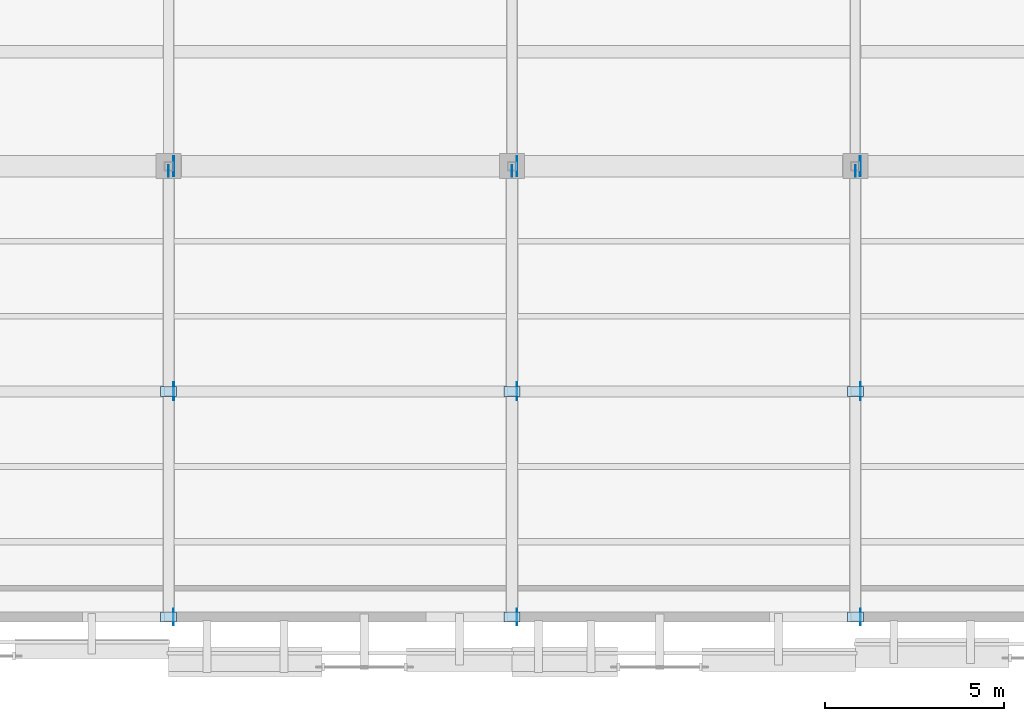
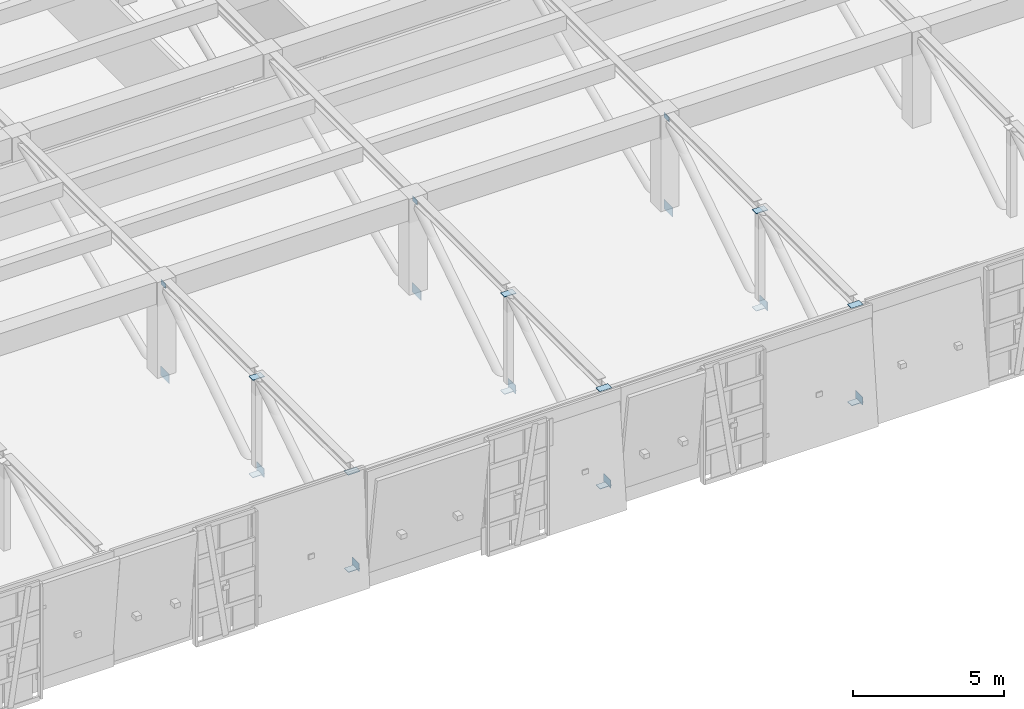
# One storey, part 37 of 62: 24 plates.
"""IFC4 building model written with IfcOpenShell, lengths in metres."""

from ifc_helpers import new_model, si_unit, direction, frame, origin, origin_2d, place, context, subcontext, project, spatial, rectangle, extrude, material, layer, layer_set, type_object, element, save


model = new_model("IFC4")

# Units and contexts
model_context = context("Model", 3, precision=1e-05, world=origin(), true_north=direction((0.0, 1.0)))
body_context = subcontext(model_context, "Body", "Model", "MODEL_VIEW")
ifc_project = project(units=[si_unit("LENGTHUNIT", "METRE"), si_unit("AREAUNIT", "SQUARE_METRE"), si_unit("VOLUMEUNIT", "CUBIC_METRE"), si_unit("PLANEANGLEUNIT", "RADIAN"), si_unit("MASSUNIT", "GRAM", prefix="KILO")], contexts=[model_context])

# Site, building, storey
site_placement = place(None, origin())
site = spatial("IfcSite", under=ifc_project, at=site_placement, CompositionType="ELEMENT")
building_placement = place(site_placement, origin())
building = spatial("IfcBuilding", under=site, at=building_placement, Name="Bempovik Park Faculty of Sciences", CompositionType="ELEMENT")
storey_placement = place(building_placement, frame((0.0, 0.0, 9.89990234375)))
storey = spatial("IfcBuildingStorey", under=building, at=storey_placement, Name="L02", CompositionType="ELEMENT", Elevation=9.89990234375)

# Plates
ifc_material = material(Name="Steel S355", Category="steel")
ifc_layer_1 = layer(ifc_material, 0.02392578125)
ifc_layer_set_1 = layer_set([ifc_layer_1], Name="Steel S355")
plate_type_1 = type_object("IfcPlateType", Name="PL-25 Steel Plate 560x380x24", PredefinedType="SHEET", material=ifc_layer_set_1)
for number, where, z_axis, x_axis, name in (
    (1, (79.340087890625, 19.800048828125, -0.389892578125), (0.0, 0.0, 1.0), (1.0, 0.0, 0.0), "Cantilever Gusset Plate CT3-3-B"),
    (2, (88.93994140625, 19.800048828125, -0.389892578125), (0.0, 0.0, 1.0), (1.0, 0.0, 0.0), "Cantilever Gusset Plate CT4-3-B"),
    (3, (98.5400390625, 19.800048828125, -0.389892578125), (0.0, 0.0, 1.0), (1.0, 0.0, 0.0), "Cantilever Gusset Plate CT5-3-B"),
):
    element("IfcPlate", number, at=place(storey_placement, frame(where, z_axis=z_axis, x_axis=x_axis)), inside=storey, type_object=plate_type_1, Name=name, PredefinedType="SHEET", context=body_context, shape_type="SweptSolid", body=[
        extrude(rectangle(XDim=0.02392578125, YDim=0.56005859375, at=origin_2d()), origin(), (0.0, 0.0, 1.0), 0.3798828125),
    ])
ifc_layer_2 = layer(ifc_material, 0.011962890625)
ifc_layer_set_2 = layer_set([ifc_layer_2], Name="Steel S355")
plate_type_2 = type_object("IfcPlateType", Name="PL-26 Steel Plate 320x220x12", PredefinedType="SHEET", material=ifc_layer_set_2)
for number, where, z_axis, x_axis, name in (
    (4, (79.199951171875, 19.6650390625, 3.48388671875), (0.0, 0.0, 1.0), (1.0, 0.0, 0.0), "Brace/Strut End Gusset Plate CT3-BRL2-2-E2"),
    (5, (88.800048828125, 19.6650390625, 3.48388671875), (0.0, 0.0, 1.0), (1.0, 0.0, 0.0), "Brace/Strut End Gusset Plate CT4-BRL2-2-E2"),
    (6, (98.39990234375, 19.6650390625, 3.48388671875), (0.0, 0.0, 1.0), (1.0, 0.0, 0.0), "Brace/Strut End Gusset Plate CT5-BRL2-2-E2"),
):
    element("IfcPlate", number, at=place(storey_placement, frame(where, z_axis=z_axis, x_axis=x_axis)), inside=storey, type_object=plate_type_2, Name=name, PredefinedType="SHEET", context=body_context, shape_type="SweptSolid", body=[
        extrude(rectangle(XDim=0.011962890625, YDim=0.320068359375, at=origin_2d()), origin(), (0.0, 0.0, 1.0), 0.219970703125),
    ])
ifc_layer_3 = layer(ifc_material, 0.02001953125)
ifc_layer_set_3 = layer_set([ifc_layer_3], Name="Steel S355")
plate_type_3 = type_object("IfcPlateType", Name="PL-30 Steel Plate 460x320x20", PredefinedType="SHEET", material=ifc_layer_set_3)
for number, where, z_axis, x_axis, name in (
    (7, (79.340087890625, 7.199951171875, -0.35986328125), (0.0, 0.0, 1.0), (1.0, 0.0, 0.0), "Cantilever Gusset Plate CT3-1-B"),
    (8, (88.93994140625, 7.199951171875, -0.35986328125), (0.0, 0.0, 1.0), (1.0, 0.0, 0.0), "Cantilever Gusset Plate CT4-1-B"),
    (9, (98.5400390625, 7.199951171875, -0.35986328125), (0.0, 0.0, 1.0), (1.0, 0.0, 0.0), "Cantilever Gusset Plate CT5-1-B"),
):
    element("IfcPlate", number, at=place(storey_placement, frame(where, z_axis=z_axis, x_axis=x_axis)), inside=storey, type_object=plate_type_3, Name=name, PredefinedType="SHEET", context=body_context, shape_type="SweptSolid", body=[
        extrude(rectangle(XDim=0.02001953125, YDim=0.4599609375, at=origin_2d()), origin(), (0.0, 0.0, 1.0), 0.320068359375),
    ])
ifc_layer_4 = layer(ifc_material, 0.02001953125)
ifc_layer_set_4 = layer_set([ifc_layer_4], Name="Steel S355")
plate_type_4 = type_object("IfcPlateType", Name="PL-36 Steel Plate 450x280x20", PredefinedType="USERDEFINED", material=ifc_layer_set_4)
for number, where, z_axis, x_axis, name in (
    (10, (79.199951171875, 7.199951171875, 3.592041015625), (0.0, 0.0, 1.0), (1.0, 0.0, 0.0), "Cantilever Post End Cap Plate CT3-1-M"),
    (11, (79.199951171875, 7.199951171875, -0.33203125), (0.0, 0.0, 1.0), (1.0, 0.0, 0.0), "Cantilever Post End Cap Plate CT3-1-B"),
    (12, (79.199951171875, 13.5, 3.592041015625), (0.0, 0.0, 1.0), (1.0, 0.0, 0.0), "Cantilever Post End Cap Plate CT3-2-M"),
    (13, (79.199951171875, 13.5, -0.33203125), (0.0, 0.0, 1.0), (1.0, 0.0, 0.0), "Cantilever Post End Cap Plate CT3-2-B"),
    (14, (88.800048828125, 7.199951171875, 3.592041015625), (0.0, 0.0, 1.0), (1.0, 0.0, 0.0), "Cantilever Post End Cap Plate CT4-1-M"),
    (15, (88.800048828125, 7.199951171875, -0.33203125), (0.0, 0.0, 1.0), (1.0, 0.0, 0.0), "Cantilever Post End Cap Plate CT4-1-B"),
    (16, (88.800048828125, 13.5, 3.592041015625), (0.0, 0.0, 1.0), (1.0, 0.0, 0.0), "Cantilever Post End Cap Plate CT4-2-M"),
    (17, (88.800048828125, 13.5, -0.33203125), (0.0, 0.0, 1.0), (1.0, 0.0, 0.0), "Cantilever Post End Cap Plate CT4-2-B"),
    (18, (98.39990234375, 7.199951171875, 3.592041015625), (0.0, 0.0, 1.0), (1.0, 0.0, 0.0), "Cantilever Post End Cap Plate CT5-1-M"),
    (19, (98.39990234375, 7.199951171875, -0.33203125), (0.0, 0.0, 1.0), (1.0, 0.0, 0.0), "Cantilever Post End Cap Plate CT5-1-B"),
    (20, (98.39990234375, 13.5, 3.592041015625), (0.0, 0.0, 1.0), (1.0, 0.0, 0.0), "Cantilever Post End Cap Plate CT5-2-M"),
    (21, (98.39990234375, 13.5, -0.33203125), (0.0, 0.0, 1.0), (1.0, 0.0, 0.0), "Cantilever Post End Cap Plate CT5-2-B"),
):
    element("IfcPlate", number, at=place(storey_placement, frame(where, z_axis=z_axis, x_axis=x_axis)), inside=storey, type_object=plate_type_4, Name=name, ObjectType="STIFFENER PLATE", PredefinedType="USERDEFINED", context=body_context, shape_type="SweptSolid", body=[
        extrude(rectangle(XDim=0.449951171875, YDim=0.280029296875, at=origin_2d()), origin(), (0.0, 0.0, 1.0), 0.02001953125),
    ])
ifc_layer_5 = layer(ifc_material, 0.02197265625)
ifc_layer_set_5 = layer_set([ifc_layer_5], Name="Steel S355")
plate_type_5 = type_object("IfcPlateType", Name="PL-46 Steel Plate 500x340x22", PredefinedType="SHEET", material=ifc_layer_set_5)
for number, where, z_axis, x_axis, name in (
    (22, (79.340087890625, 13.5, -0.3701171875), (0.0, 0.0, 1.0), (1.0, 0.0, 0.0), "Cantilever Gusset Plate CT3-2-B"),
    (23, (88.93994140625, 13.5, -0.3701171875), (0.0, 0.0, 1.0), (1.0, 0.0, 0.0), "Cantilever Gusset Plate CT4-2-B"),
    (24, (98.5400390625, 13.5, -0.3701171875), (0.0, 0.0, 1.0), (1.0, 0.0, 0.0), "Cantilever Gusset Plate CT5-2-B"),
):
    element("IfcPlate", number, at=place(storey_placement, frame(where, z_axis=z_axis, x_axis=x_axis)), inside=storey, type_object=plate_type_5, Name=name, PredefinedType="SHEET", context=body_context, shape_type="SweptSolid", body=[
        extrude(rectangle(XDim=0.02197265625, YDim=0.5, at=origin_2d()), origin(), (0.0, 0.0, 1.0), 0.340087890625),
    ])

save(model, "model.ifc")
